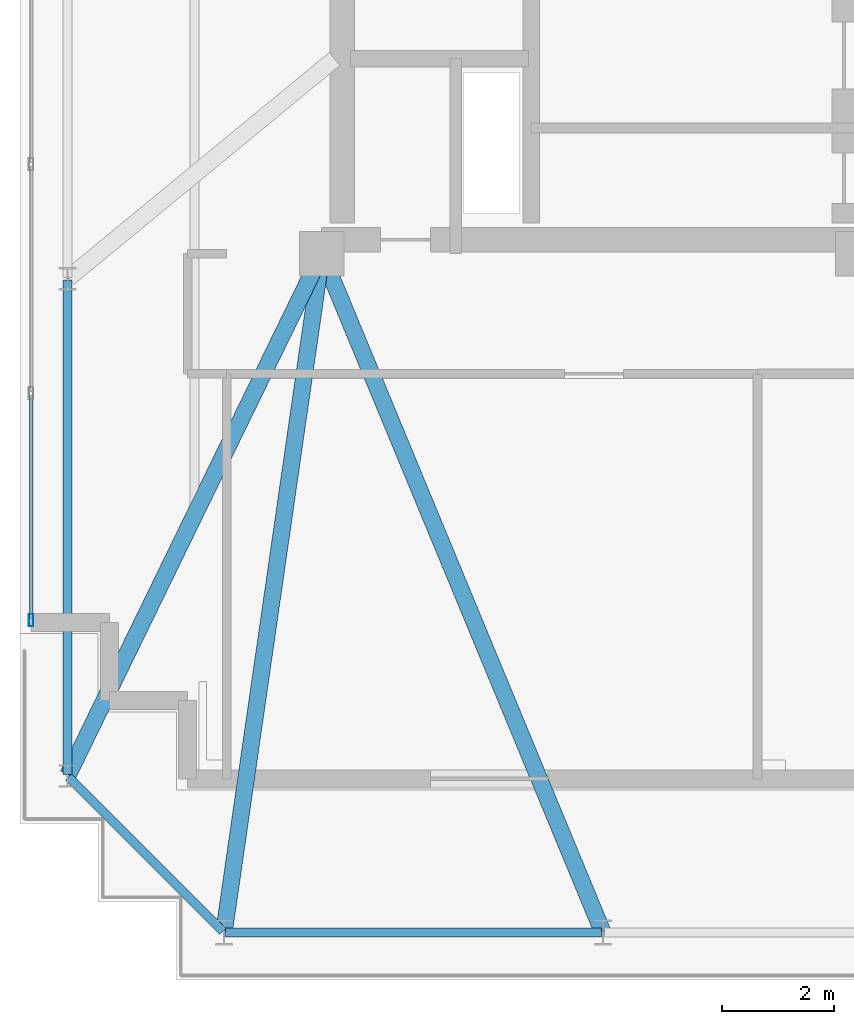
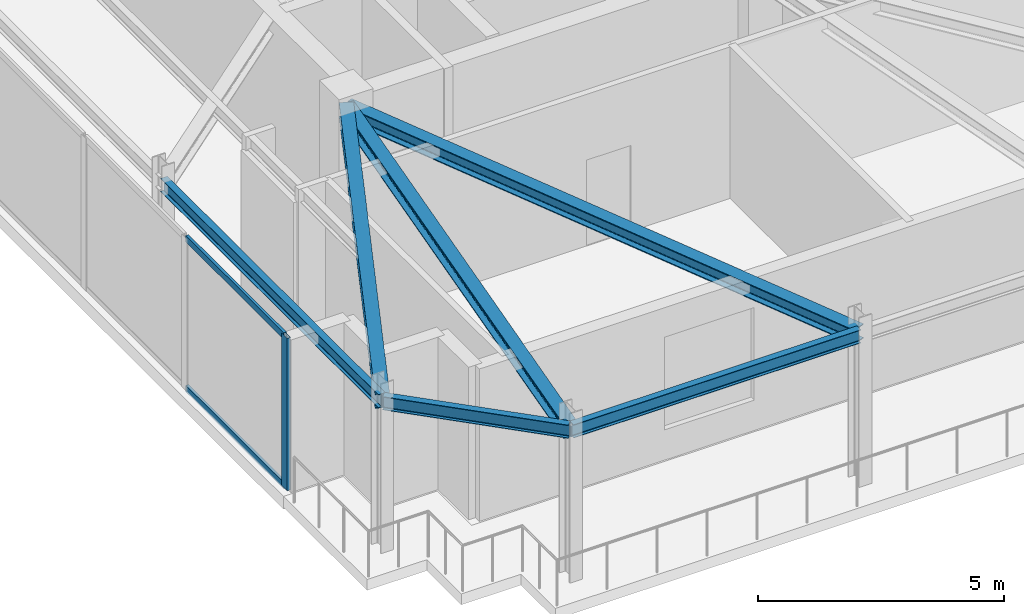
# One storey, part 4 of 24: 6 beams, 3 members, 1 element without a shape of its own.
"""IFC4 building model written with IfcOpenShell, lengths in metres."""

from ifc_helpers import new_model, si_unit, direction, frame, origin, origin_2d, place, context, subcontext, project, spatial, hollow_rectangle, i_section, extrude, material, layer, layer_set, material_profile, profile_set, type_object, element, aggregate, save


model = new_model("IFC4")

# Units and contexts
model_context = context("Model", 3, precision=1e-05, world=origin(), true_north=direction((0.0, 1.0)))
body_context = subcontext(model_context, "Body", "Model", "MODEL_VIEW")
ifc_project = project(units=[si_unit("LENGTHUNIT", "METRE"), si_unit("AREAUNIT", "SQUARE_METRE"), si_unit("VOLUMEUNIT", "CUBIC_METRE"), si_unit("PLANEANGLEUNIT", "RADIAN"), si_unit("MASSUNIT", "GRAM", prefix="KILO")], contexts=[model_context])

# Site, building, storey
site_placement = place(None, origin())
site = spatial("IfcSite", under=ifc_project, at=site_placement, CompositionType="ELEMENT")
building_placement = place(site_placement, origin())
building = spatial("IfcBuilding", under=site, at=building_placement, Name="Qobustan Lattice House", CompositionType="ELEMENT")
storey_placement = place(building_placement, frame((0.0, 0.0, 261.800048828125)))
storey = spatial("IfcBuildingStorey", under=building, at=storey_placement, Name="L74", CompositionType="ELEMENT", Elevation=261.800048828125)

# Beams
ifc_material_1 = material(Name="Steel S355", Category="steel")
ifc_material_profile_1 = material_profile(ifc_material_1, i_section(OverallWidth=0.300048828125, OverallDepth=0.360107421875, WebThickness=0.012451171875, FlangeThickness=0.0224609375, FilletRadius=0.027099609375, at=origin_2d()), Name="HEB360")
ifc_profile_set_1 = profile_set([ifc_material_profile_1], Name="Steel S355")
beam_type_1 = type_object("IfcBeamType", Name="BM-FLG-HEB360", PredefinedType="USERDEFINED", material=ifc_profile_set_1)
beam_1_placement = place(storey_placement, frame((-20.54638671875, -17.725341796875, 3.599853515625), z_axis=(0.142545171265, 0.989788297642, 0.0), x_axis=(-0.989788297642, 0.142545171265, 0.0)))
element("IfcBeam", 1, at=beam_1_placement, inside=storey, type_object=beam_type_1, Name="L74 primary floor girder RAD-S1W", ObjectType="GIRDER", PredefinedType="USERDEFINED", context=body_context, shape_type="SweptSolid", body=[
    extrude(i_section(OverallWidth=0.300048828125, OverallDepth=0.360107421875, WebThickness=0.012451171875, FlangeThickness=0.0224609375, FilletRadius=0.027099609375, at=origin_2d()), origin(), (0.0, 0.0, 1.0), 12.225341796875),
])
beam_2_placement = place(storey_placement, frame((-13.7763671875, -17.726806640625, 3.599853515625), z_axis=(-0.38270783551, 0.92386942402, 0.0), x_axis=(-0.92386942402, -0.38270783551, 0.0)))
element("IfcBeam", 2, at=beam_2_placement, inside=storey, type_object=beam_type_1, Name="L74 primary floor girder RAD-S2", ObjectType="GIRDER", PredefinedType="USERDEFINED", context=body_context, shape_type="SweptSolid", body=[
    extrude(i_section(OverallWidth=0.300048828125, OverallDepth=0.360107421875, WebThickness=0.012451171875, FlangeThickness=0.0224609375, FilletRadius=0.027099609375, at=origin_2d()), origin(), (0.0, 0.0, 1.0), 13.10107421875),
])
beam_3_placement = place(storey_placement, frame((-23.339111328125, -14.927490234375, 3.599853515625), z_axis=(0.437590490598, 0.899174378271, 0.0), x_axis=(-0.899174378271, 0.437590490598, 0.0)))
element("IfcBeam", 3, at=beam_3_placement, inside=storey, type_object=beam_type_1, Name="L74 primary floor girder RAD-W4", ObjectType="GIRDER", PredefinedType="USERDEFINED", context=body_context, shape_type="SweptSolid", body=[
    extrude(i_section(OverallWidth=0.300048828125, OverallDepth=0.360107421875, WebThickness=0.012451171875, FlangeThickness=0.0224609375, FilletRadius=0.027099609375, at=origin_2d()), origin(), (0.0, 0.0, 1.0), 10.348388671875),
])
ifc_material_2 = material(Name="Steel S355", Category="steel")
ifc_material_profile_2 = material_profile(ifc_material_2, i_section(OverallWidth=0.159912109375, OverallDepth=0.330078125, WebThickness=0.007568359375, FlangeThickness=0.011474609375, FilletRadius=0.01806640625, at=origin_2d()), Name="IPE330")
ifc_profile_set_2 = profile_set([ifc_material_profile_2], Name="Steel S355")
beam_type_2 = type_object("IfcBeamType", Name="BM-SPD-IPE330", PredefinedType="SPANDREL", material=ifc_profile_set_2)
beam_4_placement = place(storey_placement, frame((-20.52490234375, -17.75, 3.614990234375), z_axis=(1.0, 0.0, 0.0), x_axis=(0.0, 1.0, 0.0)))
element("IfcBeam", 4, at=beam_4_placement, inside=storey, type_object=beam_type_2, Name="L74 perimeter spandrel S1-S2", PredefinedType="SPANDREL", context=body_context, shape_type="SweptSolid", body=[
    extrude(i_section(OverallWidth=0.159912109375, OverallDepth=0.330078125, WebThickness=0.007568359375, FlangeThickness=0.011474609375, FilletRadius=0.01806640625, at=origin_2d()), origin(), (0.0, 0.0, 1.0), 6.733154296875),
])
beam_5_placement = place(storey_placement, frame((-23.35009765625, -6.074951171875, 3.614990234375), z_axis=(0.0, -1.0, 0.0), x_axis=(1.0, 0.0, 0.0)))
element("IfcBeam", 5, at=beam_5_placement, inside=storey, type_object=beam_type_2, Name="L74 perimeter spandrel W3-W4", PredefinedType="SPANDREL", context=body_context, shape_type="SweptSolid", body=[
    extrude(i_section(OverallWidth=0.159912109375, OverallDepth=0.330078125, WebThickness=0.007568359375, FlangeThickness=0.011474609375, FilletRadius=0.01806640625, at=origin_2d()), origin(), (0.0, 0.0, 1.0), 8.85009765625),
])
beam_6_placement = place(storey_placement, frame((-23.332275390625, -14.9677734375, 3.614990234375), z_axis=(0.707106781187, -0.707106781187, 0.0), x_axis=(0.707106781187, 0.707106781187, 0.0)))
element("IfcBeam", 6, at=beam_6_placement, inside=storey, type_object=beam_type_2, Name="L74 perimeter spandrel W4-S1", PredefinedType="SPANDREL", context=body_context, shape_type="SweptSolid", body=[
    extrude(i_section(OverallWidth=0.159912109375, OverallDepth=0.330078125, WebThickness=0.007568359375, FlangeThickness=0.011474609375, FilletRadius=0.01806640625, at=origin_2d()), origin(), (0.0, 0.0, 1.0), 3.909912109375),
])

# Curtain wall, members
ifc_material_3 = material(Name="Anodised aluminium and low-E glazing", Category="aluminium")
ifc_layer = layer(ifc_material_3, 0.219970703125)
ifc_layer_set = layer_set([ifc_layer], Name="Anodised aluminium and low-E glazing")
curtain_wall_type = type_object("IfcCurtainWallType", Name="CW-OBS-01", PredefinedType="USERDEFINED", material=ifc_layer_set)
curtain_wall_placement = place(storey_placement, origin())
curtain_wall = element("IfcCurtainWall", 7, at=curtain_wall_placement, inside=storey, type_object=curtain_wall_type, Name="L74 W panoramic observation curtain wall", ObjectType="CURTAIN WALL", PredefinedType="USERDEFINED")
ifc_material_4 = material(Name="Anodised aluminium EN AW-6063 T6", Category="aluminium")
ifc_material_profile_3 = material_profile(ifc_material_4, hollow_rectangle(XDim=0.080078125, YDim=0.219970703125, WallThickness=0.0048828125, at=origin_2d()), Name="CWM-220x80")
ifc_profile_set_3 = profile_set([ifc_material_profile_3], Name="Anodised aluminium EN AW-6063 T6")
member_type_1 = type_object("IfcMemberType", Name="CWM-MAIN-220", PredefinedType="MULLION", material=ifc_profile_set_3)
member_1_placement = place(storey_placement, frame((-24.0, -12.159912109375, 0.0), z_axis=(0.0, 0.0, 1.0), x_axis=(-1.0, 0.0, 0.0)))
member_1 = element("IfcMember", 8, at=member_1_placement, type_object=member_type_1, Name="CW-OB mullion 1", PredefinedType="MULLION", context=body_context, shape_type="SweptSolid", body=[
    extrude(hollow_rectangle(XDim=0.080078125, YDim=0.219970703125, WallThickness=0.0048828125, at=origin_2d()), origin(), (0.0, 0.0, 1.0), 3.780029296875),
])
ifc_material_5 = material(Name="Anodised aluminium EN AW-6063 T6", Category="aluminium")
ifc_material_profile_4 = material_profile(ifc_material_5, hollow_rectangle(XDim=0.06494140625, YDim=0.159912109375, WallThickness=0.00390625, at=origin_2d()), Name="CWT-160x65")
ifc_profile_set_4 = profile_set([ifc_material_profile_4], Name="Anodised aluminium EN AW-6063 T6")
member_type_2 = type_object("IfcMemberType", Name="CWT-HOR-160", PredefinedType="USERDEFINED", material=ifc_profile_set_4)
member_2_placement = place(storey_placement, frame((-24.0, -12.1201171875, 0.032470703125), z_axis=(0.0, 1.0, 0.0), x_axis=(-1.0, 0.0, 0.0)))
member_2 = element("IfcMember", 9, at=member_2_placement, type_object=member_type_2, Name="CW-OB transom 1.1", ObjectType="TRANSOM", PredefinedType="USERDEFINED", context=body_context, shape_type="SweptSolid", body=[
    extrude(hollow_rectangle(XDim=0.06494140625, YDim=0.159912109375, WallThickness=0.00390625, at=origin_2d()), origin(), (0.0, 0.0, 1.0), 3.980224609375),
])
member_3_placement = place(storey_placement, frame((-24.0, -12.1201171875, 3.74755859375), z_axis=(0.0, 1.0, 0.0), x_axis=(-1.0, 0.0, 0.0)))
member_3 = element("IfcMember", 10, at=member_3_placement, type_object=member_type_2, Name="CW-OB transom 1.2", ObjectType="TRANSOM", PredefinedType="USERDEFINED", context=body_context, shape_type="SweptSolid", body=[
    extrude(hollow_rectangle(XDim=0.06494140625, YDim=0.159912109375, WallThickness=0.00390625, at=origin_2d()), origin(), (0.0, 0.0, 1.0), 3.980224609375),
])
aggregate(curtain_wall, [member_1, member_2, member_3])

save(model, "model.ifc")
